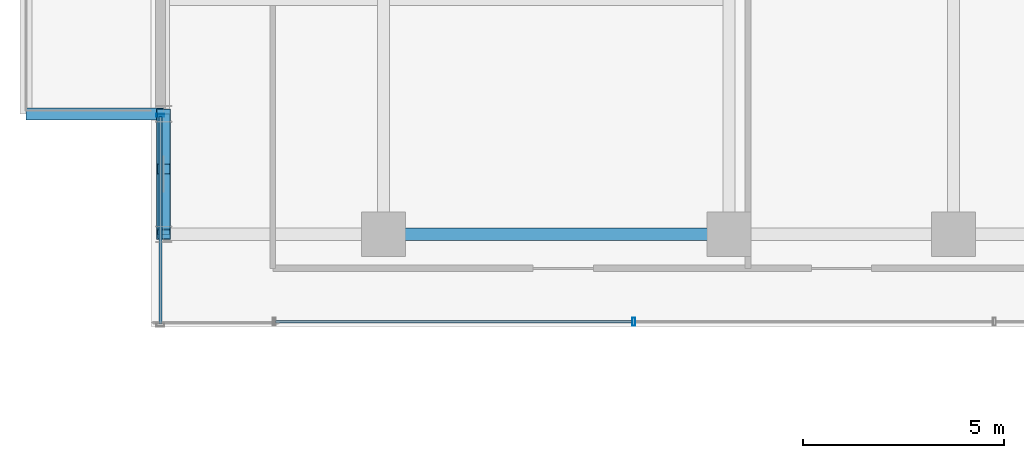
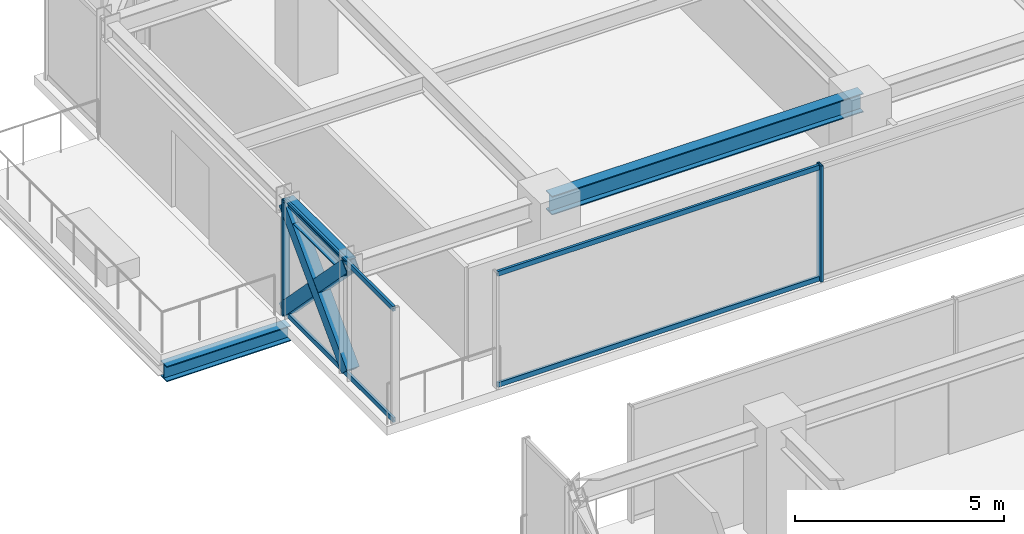
# One storey, part 9 of 37: 9 members, 3 beams, 2 elements without a shape of their own.
"""IFC4 building model written with IfcOpenShell, lengths in metres."""

from ifc_helpers import new_model, si_unit, direction, frame, origin, origin_2d, place, context, subcontext, project, spatial, hollow_rectangle, i_section, extrude, source, transform, mapped, material, material_profile, profile_set, type_object, element, aggregate, save


model = new_model("IFC4")

# Units and contexts
model_context = context("Model", 3, precision=1e-05, world=origin(), true_north=direction((0.0, 1.0)))
body_context = subcontext(model_context, "Body", "Model", "MODEL_VIEW")
ifc_project = project(units=[si_unit("LENGTHUNIT", "METRE"), si_unit("AREAUNIT", "SQUARE_METRE"), si_unit("VOLUMEUNIT", "CUBIC_METRE"), si_unit("PLANEANGLEUNIT", "RADIAN"), si_unit("MASSUNIT", "GRAM", prefix="KILO")], contexts=[model_context])

# Site, building, storey
site_placement = place(None, origin())
site = spatial("IfcSite", under=ifc_project, at=site_placement, CompositionType="ELEMENT")
building_placement = place(site_placement, origin())
building = spatial("IfcBuilding", under=site, at=building_placement, Name="Nahalor Promenade Grand Hotel", CompositionType="ELEMENT")
storey_placement = place(building_placement, frame((0.0, 0.0, 167.25)))
storey = spatial("IfcBuildingStorey", under=building, at=storey_placement, Name="L42", CompositionType="ELEMENT", Elevation=167.25)

# Beams
ifc_material_1 = material(Name="Steel S355JR", Category="steel")
ifc_material_profile_1 = material_profile(ifc_material_1, i_section(OverallWidth=0.3, OverallDepth=0.45, WebThickness=0.014, FlangeThickness=0.026, at=origin_2d()), Name="HEB 450")
ifc_profile_set_1 = profile_set([ifc_material_profile_1], Name="Steel S355JR")
beam_type_1 = type_object("IfcBeamType", Name="Beam-Outrigger-HEB450", PredefinedType="BEAM", material=ifc_profile_set_1)
shared_shape_1 = source(origin(), body_context, "Body", "SweptSolid", [
    extrude(i_section(OverallWidth=0.3, OverallDepth=0.45, WebThickness=0.014, FlangeThickness=0.026, at=origin_2d()), origin(), (0.0, 0.0, 1.0), 3.429931640625),
])
beam_1_placement = place(storey_placement, frame((-25.909912109375, 8.39990234375, -0.5048828125), z_axis=(1.0, 0.0, 0.0), x_axis=(0.0, 1.0, 0.0)))
element("IfcBeam", 1, at=beam_1_placement, inside=storey, type_object=beam_type_1, Name="BM-L42-BC-02-1", PredefinedType="BEAM", context=body_context, shape_type="MappedRepresentation", body=[
    mapped(shared_shape_1, transform((0.0, 0.0, 0.0), scale=1.0)),
])
ifc_material_profile_2 = material_profile(ifc_material_1, i_section(OverallWidth=0.3, OverallDepth=0.55, WebThickness=0.015, FlangeThickness=0.029, at=origin_2d()), Name="HEB 550")
ifc_profile_set_2 = profile_set([ifc_material_profile_2], Name="Steel S355JR")
beam_type_2 = type_object("IfcBeamType", Name="Beam-Girder-HEB550", PredefinedType="BEAM", material=ifc_profile_set_2)
shared_shape_2 = source(origin(), body_context, "Body", "SweptSolid", [
    extrude(i_section(OverallWidth=0.3, OverallDepth=0.55, WebThickness=0.015, FlangeThickness=0.029, at=origin_2d()), origin(), (0.0, 0.0, 1.0), 8.60009765625),
])
beam_2_placement = place(storey_placement, frame((-17.0, 5.39990234375, 3.114990234375), z_axis=(1.0, 0.0, 0.0), x_axis=(0.0, 1.0, 0.0)))
element("IfcBeam", 2, at=beam_2_placement, inside=storey, type_object=beam_type_2, Name="BM-L42-GX-2-1", PredefinedType="BEAM", context=body_context, shape_type="MappedRepresentation", body=[
    mapped(shared_shape_2, transform((0.0, 0.0, 0.0), scale=1.0)),
])
ifc_material_profile_3 = material_profile(ifc_material_1, i_section(OverallWidth=0.3, OverallDepth=0.45, WebThickness=0.014, FlangeThickness=0.026, at=origin_2d()), Name="HEB 450")
ifc_profile_set_3 = profile_set([ifc_material_profile_3], Name="Steel S355JR")
beam_type_3 = type_object("IfcBeamType", Name="Beam-Spandrel-HEB450", PredefinedType="SPANDREL", material=ifc_profile_set_3)
shared_shape_3 = source(origin(), body_context, "Body", "SweptSolid", [
    extrude(i_section(OverallWidth=0.3, OverallDepth=0.45, WebThickness=0.014, FlangeThickness=0.026, at=origin_2d()), origin(), (0.0, 0.0, 1.0), 3.0),
])
beam_3_placement = place(storey_placement, frame((-22.47998046875, 5.39990234375, 3.1650390625), z_axis=(0.0, 1.0, 0.0), x_axis=(-1.0, 0.0, 0.0)))
element("IfcBeam", 3, at=beam_3_placement, inside=storey, type_object=beam_type_3, Name="BM-L42-SP-W-3", PredefinedType="SPANDREL", context=body_context, shape_type="MappedRepresentation", body=[
    mapped(shared_shape_3, transform((0.0, 0.0, 0.0), scale=1.0)),
])

# Members
ifc_material_profile_4 = material_profile(ifc_material_1, hollow_rectangle(XDim=0.35, YDim=0.35, WallThickness=0.02, at=origin_2d()), Name="SHS 350x350x20")
ifc_profile_set_4 = profile_set([ifc_material_profile_4], Name="Steel S355JR")
member_type_1 = type_object("IfcMemberType", Name="Mem-VoidBrace-SHS350", PredefinedType="BRACE", material=ifc_profile_set_4)
shared_shape_4 = source(origin(), body_context, "Body", "SweptSolid", [
    extrude(hollow_rectangle(XDim=0.35, YDim=0.35, WallThickness=0.02, at=origin_2d()), origin(), (0.0, 0.0, 1.0), 1.96630859375),
])
member_1_placement = place(storey_placement, frame((-22.47998046875, 8.39990234375, 0.14990234375), z_axis=(0.0, -0.696537426897, 0.717520461682), x_axis=(1.0, 0.0, 0.0)))
element("IfcMember", 4, at=member_1_placement, inside=storey, type_object=member_type_1, Name="EXO-L42-VX2-W1A", PredefinedType="BRACE", context=body_context, shape_type="MappedRepresentation", body=[
    mapped(shared_shape_4, transform((0.0, 0.0, 0.0), scale=1.0)),
])
shared_shape_5 = source(origin(), body_context, "Body", "SweptSolid", [
    extrude(hollow_rectangle(XDim=0.35, YDim=0.35, WallThickness=0.02, at=origin_2d()), origin(), (0.0, 0.0, 1.0), 4.306884765625),
])
member_2_placement = place(storey_placement, frame((-22.47998046875, 5.39990234375, 0.14990234375), z_axis=(0.0, 0.696570665899, 0.717488193219), x_axis=(-1.0, 0.0, 0.0)))
element("IfcMember", 5, at=member_2_placement, inside=storey, type_object=member_type_1, Name="EXO-L42-VX1-W1", PredefinedType="BRACE", context=body_context, shape_type="MappedRepresentation", body=[
    mapped(shared_shape_5, transform((0.0, 0.0, 0.0), scale=1.0)),
])
shared_shape_6 = source(origin(), body_context, "Body", "SweptSolid", [
    extrude(hollow_rectangle(XDim=0.35, YDim=0.35, WallThickness=0.02, at=origin_2d()), origin(), (0.0, 0.0, 1.0), 1.966552734375),
])
member_3_placement = place(storey_placement, frame((-22.47998046875, 6.769775390625, 1.8291015625), z_axis=(0.0, -0.696601340579, 0.71745841155), x_axis=(1.0, 0.0, 0.0)))
element("IfcMember", 6, at=member_3_placement, inside=storey, type_object=member_type_1, Name="EXO-L42-VX2-W1B", PredefinedType="BRACE", context=body_context, shape_type="MappedRepresentation", body=[
    mapped(shared_shape_6, transform((0.0, 0.0, 0.0), scale=1.0)),
])

# Curtain wall, members
ifc_material_2 = material(Name="Anodised Bronze Aluminium EN AW-6063 T6", Category="aluminium")
curtain_wall_type = type_object("IfcCurtainWallType", Name="CW3 Elliptical-Void Collar Unitised Curtain Wall", PredefinedType="USERDEFINED", material=ifc_material_2)
curtain_wall_1_placement = place(storey_placement, origin())
curtain_wall_1 = element("IfcCurtainWall", 7, at=curtain_wall_1_placement, inside=storey, type_object=curtain_wall_type, Name="L42 Curtain Wall CW-L42-W-2", ObjectType="UNITISED_CURTAIN_WALL", PredefinedType="USERDEFINED")
ifc_material_profile_5 = material_profile(ifc_material_2, hollow_rectangle(XDim=0.07, YDim=0.14, WallThickness=0.004, at=origin_2d()), Name="CWT 70x140x4")
ifc_profile_set_5 = profile_set([ifc_material_profile_5], Name="Anodised Bronze Aluminium EN AW-6063 T6")
member_type_2 = type_object("IfcMemberType", Name="CWT3 Void Collar Transom 70x140", PredefinedType="USERDEFINED", material=ifc_profile_set_5)
shared_shape_7 = source(origin(), body_context, "Body", "SweptSolid", [
    extrude(hollow_rectangle(XDim=0.07, YDim=0.14, WallThickness=0.004, at=origin_2d()), origin(), (0.0, 0.0, 1.0), 5.16015625),
])
member_4_placement = place(storey_placement, frame((-22.56005859375, 3.169921875, 0.070068359375), z_axis=(0.0, 1.0, 0.0), x_axis=(-1.0, 0.0, 0.0)))
member_4 = element("IfcMember", 8, at=member_4_placement, type_object=member_type_2, Name="CW-L42-W-2 Transom 0-0", ObjectType="TRANSOM", PredefinedType="USERDEFINED", context=body_context, shape_type="MappedRepresentation", body=[
    mapped(shared_shape_7, transform((0.0, 0.0, 0.0), scale=1.0)),
])
member_5_placement = place(storey_placement, frame((-22.56005859375, 3.169921875, 3.320068359375), z_axis=(0.0, 1.0, 0.0), x_axis=(-1.0, 0.0, 0.0)))
member_5 = element("IfcMember", 9, at=member_5_placement, type_object=member_type_2, Name="CW-L42-W-2 Transom 0-1", ObjectType="TRANSOM", PredefinedType="USERDEFINED", context=body_context, shape_type="MappedRepresentation", body=[
    mapped(shared_shape_7, transform((0.0, 0.0, 0.0), scale=1.0)),
])

curtain_wall_2_placement = place(storey_placement, origin())
curtain_wall_2 = element("IfcCurtainWall", 10, at=curtain_wall_2_placement, inside=storey, type_object=curtain_wall_type, Name="L42 Curtain Wall CW-L42-VOID-WN1", ObjectType="UNITISED_CURTAIN_WALL", PredefinedType="USERDEFINED")
shared_shape_8 = source(origin(), body_context, "Body", "SweptSolid", [
    extrude(hollow_rectangle(XDim=0.07, YDim=0.14, WallThickness=0.004, at=origin_2d()), origin(), (0.0, 0.0, 1.0), 8.881591796875),
])
member_6_placement = place(storey_placement, frame((-19.68994140625, 3.219970703125, 0.070068359375), z_axis=(1.0, 0.0, 0.0), x_axis=(0.0, 1.0, 0.0)))
member_6 = element("IfcMember", 11, at=member_6_placement, type_object=member_type_2, Name="CW-L42-VOID-WN1 Transom 0-0", ObjectType="TRANSOM", PredefinedType="USERDEFINED", context=body_context, shape_type="MappedRepresentation", body=[
    mapped(shared_shape_8, transform((0.0, 0.0, 0.0), scale=1.0)),
])
member_7_placement = place(storey_placement, frame((-19.68994140625, 3.219970703125, 3.320068359375), z_axis=(1.0, 0.0, 0.0), x_axis=(0.0, 1.0, 0.0)))
member_7 = element("IfcMember", 12, at=member_7_placement, type_object=member_type_2, Name="CW-L42-VOID-WN1 Transom 0-1", ObjectType="TRANSOM", PredefinedType="USERDEFINED", context=body_context, shape_type="MappedRepresentation", body=[
    mapped(shared_shape_8, transform((0.0, 0.0, 0.0), scale=1.0)),
])

# Member
ifc_material_profile_6 = material_profile(ifc_material_2, hollow_rectangle(XDim=0.07, YDim=0.2, WallThickness=0.005, at=origin_2d()), Name="CWM 70x200x5")
ifc_profile_set_6 = profile_set([ifc_material_profile_6], Name="Anodised Bronze Aluminium EN AW-6063 T6")
member_type_3 = type_object("IfcMemberType", Name="CWM3 Void Collar Mullion 70x200", PredefinedType="MULLION", material=ifc_profile_set_6)
shared_shape_9 = source(origin(), body_context, "Body", "SweptSolid", [
    extrude(hollow_rectangle(XDim=0.07, YDim=0.2, WallThickness=0.005, at=origin_2d()), origin(), (0.0, 0.0, 1.0), 3.389892578125),
])
member_8_placement = place(storey_placement, frame((-22.56005859375, 8.364990234375, 0.0), z_axis=(0.0, 0.0, 1.0), x_axis=(0.0, 1.0, 0.0)))
member_8 = element("IfcMember", 13, at=member_8_placement, type_object=member_type_3, Name="CW-L42-W-2 Mullion 1", PredefinedType="MULLION", context=body_context, shape_type="MappedRepresentation", body=[
    mapped(shared_shape_9, transform((0.0, 0.0, 0.0), scale=1.0)),
])

aggregate(curtain_wall_1, [member_8, member_4, member_5])

member_9_placement = place(storey_placement, frame((-10.7734375, 3.219970703125, 0.0), z_axis=(0.0, 0.0, 1.0), x_axis=(1.0, 0.0, 0.0)))
member_9 = element("IfcMember", 14, at=member_9_placement, type_object=member_type_3, Name="CW-L42-VOID-WN1 Mullion 1", PredefinedType="MULLION", context=body_context, shape_type="MappedRepresentation", body=[
    mapped(shared_shape_9, transform((0.0, 0.0, 0.0), scale=1.0)),
])

aggregate(curtain_wall_2, [member_9, member_6, member_7])

save(model, "model.ifc")
